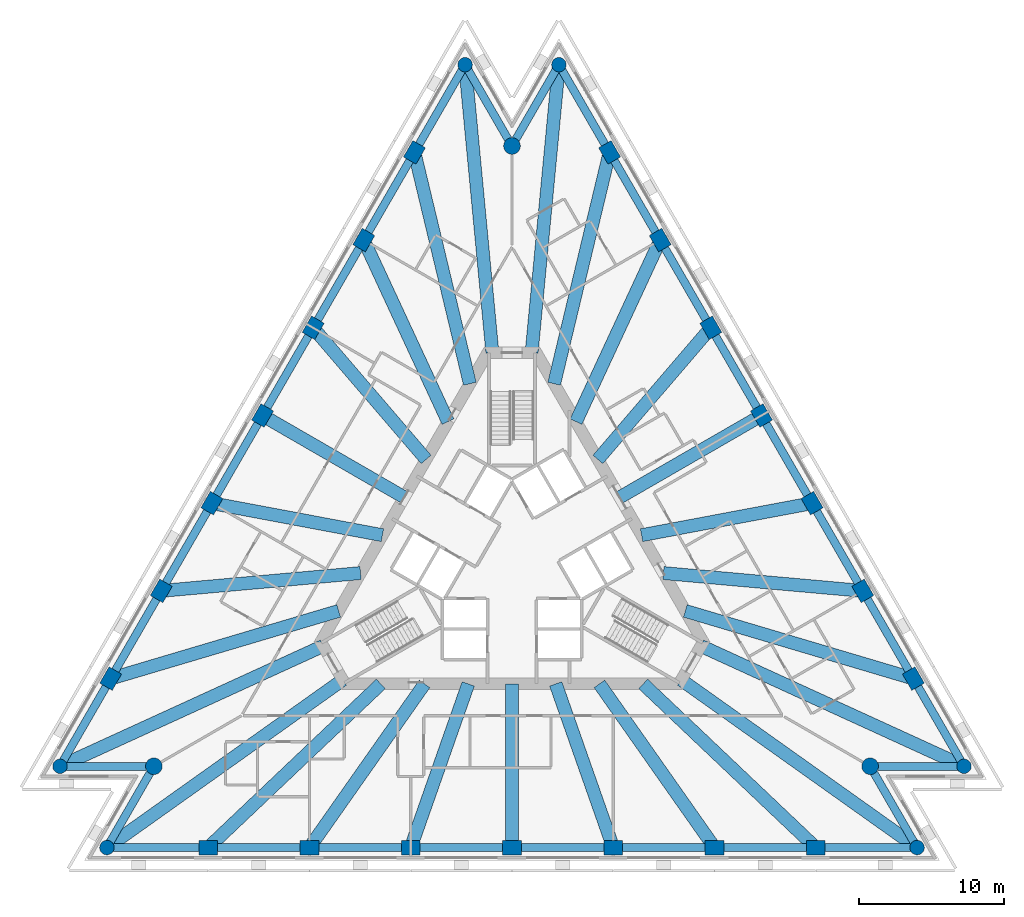
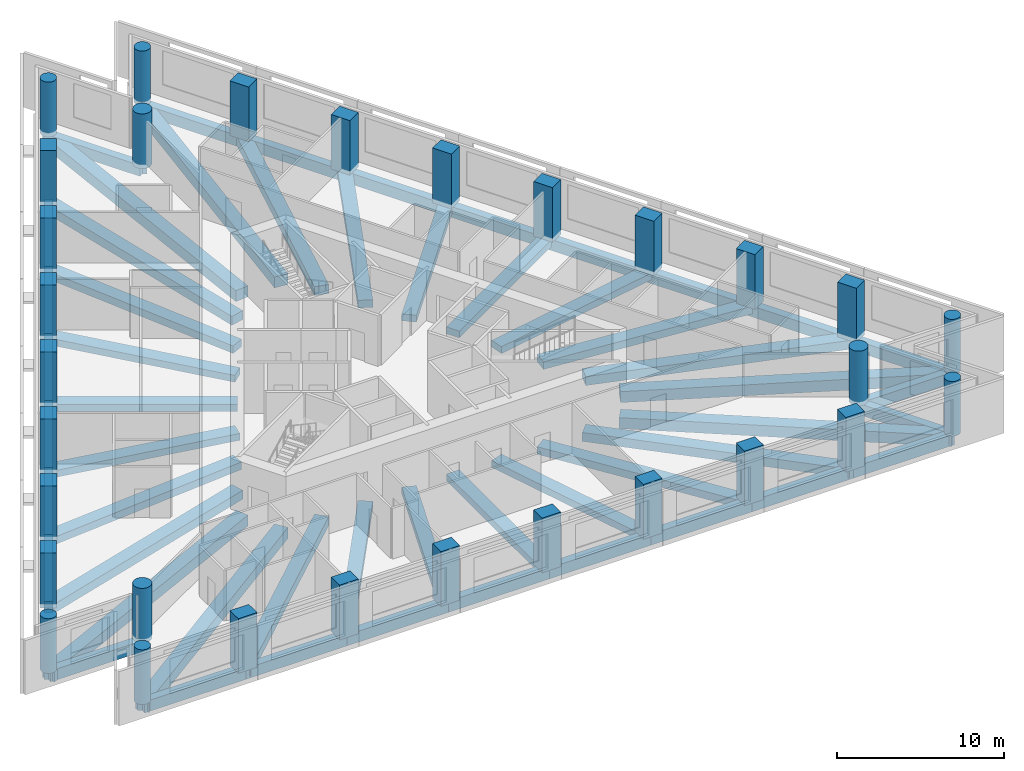
# One storey, part 1 of 10: 57 beams, 30 columns.
"""IFC4 building model written with IfcOpenShell, lengths in metres."""

from ifc_helpers import new_model, si_unit, direction, frame, origin, origin_2d, place, context, subcontext, project, spatial, rectangle, circle, extrude, material, material_profile, profile_set, type_object, element, save


model = new_model("IFC4")

# Units and contexts
model_context = context("Model", 3, precision=1e-05, world=origin(), true_north=direction((0.0, 1.0)))
body_context = subcontext(model_context, "Body", "Model", "MODEL_VIEW")
ifc_project = project(units=[si_unit("LENGTHUNIT", "METRE"), si_unit("AREAUNIT", "SQUARE_METRE"), si_unit("VOLUMEUNIT", "CUBIC_METRE"), si_unit("PLANEANGLEUNIT", "RADIAN"), si_unit("MASSUNIT", "GRAM", prefix="KILO")], contexts=[model_context])

# Site, building, storey
site_placement = place(None, origin())
site = spatial("IfcSite", under=ifc_project, at=site_placement, CompositionType="ELEMENT")
building_placement = place(site_placement, origin())
building = spatial("IfcBuilding", under=site, at=building_placement, Name="Triada Interchange Tower", CompositionType="ELEMENT")
storey_placement = place(building_placement, frame((0.0, 0.0, 104.300048828125)))
storey = spatial("IfcBuildingStorey", under=building, at=storey_placement, Name="L23", CompositionType="ELEMENT", Elevation=104.300048828125)

# Columns
ifc_material_1 = material(Name="Concrete C60/75", Category="concrete")
ifc_material_profile_1 = material_profile(ifc_material_1, rectangle(XDim=1.300048828125, YDim=1.0, at=origin_2d()), Name="RC 1300x1000")
ifc_profile_set_1 = profile_set([ifc_material_profile_1], Name="Concrete C60/75")
column_type_1 = type_object("IfcColumnType", Name="Column B face RC 1300x1000", PredefinedType="COLUMN", material=ifc_profile_set_1)
for number, where, z_axis, x_axis, name in (
    (1, (-6.74609375, 28.14892578125, -0.300048828125), (0.0, 0.0, 1.0), (0.5, 0.866025403784, 0.0), "Column CB02 L23"),
    (2, (-10.2470703125, 22.0859375, -0.300048828125), (0.0, 0.0, 1.0), (0.5, 0.866025403784, 0.0), "Column CB03 L23"),
    (3, (-13.748046875, 16.02197265625, -0.300048828125), (0.0, 0.0, 1.0), (0.5, 0.866025403784, 0.0), "Column CB04 L23"),
    (4, (-17.248046875, 9.9580078125, -0.300048828125), (0.0, 0.0, 1.0), (0.5, 0.866025403784, 0.0), "Column CB05 L23"),
    (5, (-20.7490234375, 3.89501953125, -0.300048828125), (0.0, 0.0, 1.0), (0.5, 0.866025403784, 0.0), "Column CB06 L23"),
    (6, (-24.25, -2.1689453125, -0.300048828125), (0.0, 0.0, 1.0), (0.5, 0.866025403784, 0.0), "Column CB07 L23"),
    (7, (-27.7509765625, -8.23193359375, -0.300048828125), (0.0, 0.0, 1.0), (0.5, 0.866025403784, 0.0), "Column CB08 L23"),
    (8, (-21.0048828125, -19.9169921875, -0.300048828125), (0.0, 0.0, 1.0), (1.0, 0.0, 0.0), "Column CB11 L23"),
    (9, (-14.00390625, -19.9169921875, -0.300048828125), (0.0, 0.0, 1.0), (1.0, 0.0, 0.0), "Column CB12 L23"),
    (10, (-7.001953125, -19.9169921875, -0.300048828125), (0.0, 0.0, 1.0), (1.0, 0.0, 0.0), "Column CB13 L23"),
    (11, (0.0, -19.9169921875, -0.300048828125), (0.0, 0.0, 1.0), (1.0, 0.0, 0.0), "Column CB14 L23"),
    (12, (7.001953125, -19.9169921875, -0.300048828125), (0.0, 0.0, 1.0), (1.0, 0.0, 0.0), "Column CB15 L23"),
    (13, (14.0029296875, -19.9169921875, -0.300048828125), (0.0, 0.0, 1.0), (1.0, 0.0, 0.0), "Column CB16 L23"),
    (14, (21.0048828125, -19.9169921875, -0.300048828125), (0.0, 0.0, 1.0), (1.0, 0.0, 0.0), "Column CB17 L23"),
    (15, (27.7509765625, -8.23193359375, -0.300048828125), (0.0, 0.0, 1.0), (-0.5, 0.866025403784, 0.0), "Column CB20 L23"),
    (16, (24.25, -2.1689453125, -0.300048828125), (0.0, 0.0, 1.0), (-0.5, 0.866025403784, 0.0), "Column CB21 L23"),
    (17, (20.7490234375, 3.89501953125, -0.300048828125), (0.0, 0.0, 1.0), (-0.5, 0.866025403784, 0.0), "Column CB22 L23"),
    (18, (17.248046875, 9.9580078125, -0.300048828125), (0.0, 0.0, 1.0), (-0.5, 0.866025403784, 0.0), "Column CB23 L23"),
    (19, (13.748046875, 16.02197265625, -0.300048828125), (0.0, 0.0, 1.0), (-0.5, 0.866025403784, 0.0), "Column CB24 L23"),
    (20, (10.2470703125, 22.0859375, -0.300048828125), (0.0, 0.0, 1.0), (-0.5, 0.866025403784, 0.0), "Column CB25 L23"),
    (21, (6.74609375, 28.14892578125, -0.300048828125), (0.0, 0.0, 1.0), (-0.5, 0.866025403784, 0.0), "Column CB26 L23"),
):
    element("IfcColumn", number, at=place(storey_placement, frame(where, z_axis=z_axis, x_axis=x_axis)), inside=storey, type_object=column_type_1, Name=name, PredefinedType="COLUMN", context=body_context, shape_type="SweptSolid", body=[
        extrude(rectangle(XDim=1.300048828125, YDim=1.0, at=origin_2d()), origin(), (0.0, 0.0, 1.0), 4.0),
    ])
ifc_material_profile_2 = material_profile(ifc_material_1, circle(Radius=0.5, at=origin_2d()), Name="RC D1000")
ifc_profile_set_2 = profile_set([ifc_material_profile_2], Name="Concrete C60/75")
column_type_2 = type_object("IfcColumnType", Name="End column B RC D1000", PredefinedType="COLUMN", material=ifc_profile_set_2)
for number, where, z_axis, x_axis, name in (
    (22, (-3.2451171875, 34.212890625, -0.300048828125), (0.0, 0.0, 1.0), (0.5, 0.866025403784, 0.0), "Column CB01 L23"),
    (23, (-31.251953125, -14.2958984375, -0.300048828125), (0.0, 0.0, 1.0), (0.5, 0.866025403784, 0.0), "Column CB09 L23"),
    (24, (-28.007080078125, -19.9169921875, -0.300048828125), (0.0, 0.0, 1.0), (1.0, 0.0, 0.0), "Column CB10 L23"),
    (25, (28.007080078125, -19.9169921875, -0.300048828125), (0.0, 0.0, 1.0), (1.0, 0.0, 0.0), "Column CB18 L23"),
    (26, (31.251953125, -14.2958984375, -0.300048828125), (0.0, 0.0, 1.0), (-0.5, 0.866025403784, 0.0), "Column CB19 L23"),
    (27, (3.2451171875, 34.212890625, -0.300048828125), (0.0, 0.0, 1.0), (-0.5, 0.866025403784, 0.0), "Column CB27 L23"),
):
    element("IfcColumn", number, at=place(storey_placement, frame(where, z_axis=z_axis, x_axis=x_axis)), inside=storey, type_object=column_type_2, Name=name, PredefinedType="COLUMN", context=body_context, shape_type="SweptSolid", body=[
        extrude(circle(Radius=0.5, at=origin_2d()), origin(), (0.0, 0.0, 1.0), 4.0),
    ])
ifc_material_profile_3 = material_profile(ifc_material_1, circle(Radius=0.574951171875, at=origin_2d()), Name="RC D1150")
ifc_profile_set_3 = profile_set([ifc_material_profile_3], Name="Concrete C60/75")
column_type_3 = type_object("IfcColumnType", Name="Mega column B RC D1150", PredefinedType="COLUMN", material=ifc_profile_set_3)
for number, where, z_axis, x_axis, name in (
    (28, (0.0, 28.593017578125, -0.300048828125), (0.0, 0.0, 1.0), (1.0, 0.0, 0.0), "Column MB1 L23"),
    (29, (-24.761962890625, -14.2958984375, -0.300048828125), (0.0, 0.0, 1.0), (1.0, 0.0, 0.0), "Column MB2 L23"),
    (30, (24.761962890625, -14.2958984375, -0.300048828125), (0.0, 0.0, 1.0), (1.0, 0.0, 0.0), "Column MB3 L23"),
):
    element("IfcColumn", number, at=place(storey_placement, frame(where, z_axis=z_axis, x_axis=x_axis)), inside=storey, type_object=column_type_3, Name=name, PredefinedType="COLUMN", context=body_context, shape_type="SweptSolid", body=[
        extrude(circle(Radius=0.574951171875, at=origin_2d()), origin(), (0.0, 0.0, 1.0), 4.0),
    ])

# Beams
ifc_material_2 = material(Name="Concrete C50/60", Category="concrete")
ifc_material_profile_4 = material_profile(ifc_material_2, rectangle(XDim=0.89990234375, YDim=0.5, at=origin_2d()), Name="RC 900x500")
ifc_profile_set_4 = profile_set([ifc_material_profile_4], Name="Concrete C50/60")
beam_type_1 = type_object("IfcBeamType", Name="Radial band beam B RC 900x500", PredefinedType="BEAM", material=ifc_profile_set_4)
beam_1_placement = place(storey_placement, frame((-13.748046875, 16.02197265625, -0.550048828125), z_axis=(0.651203572594, -0.758903094631, 0.0), x_axis=(0.758903094631, 0.651203572594, 0.0)))
element("IfcBeam", 31, at=beam_1_placement, inside=storey, type_object=beam_type_1, Name="Radial band beam BB04 L23", PredefinedType="BEAM", context=body_context, shape_type="SweptSolid", body=[
    extrude(rectangle(XDim=0.89990234375, YDim=0.5, at=origin_2d()), origin(), (0.0, 0.0, 1.0), 11.996337890625),
])
beam_2_placement = place(storey_placement, frame((-17.248046875, 9.9580078125, -0.550048828125), z_axis=(0.866029300872, -0.499993249986, 0.0), x_axis=(0.499993249986, 0.866029300872, 0.0)))
element("IfcBeam", 32, at=beam_2_placement, inside=storey, type_object=beam_type_1, Name="Radial band beam BB05 L23", PredefinedType="BEAM", context=body_context, shape_type="SweptSolid", body=[
    extrude(rectangle(XDim=0.89990234375, YDim=0.5, at=origin_2d()), origin(), (0.0, 0.0, 1.0), 11.316162109375),
])
beam_3_placement = place(storey_placement, frame((-20.7490234375, 3.89501953125, -0.550048828125), z_axis=(0.982834380844, -0.184490053474, 0.0), x_axis=(0.184490053474, 0.982834380844, 0.0)))
element("IfcBeam", 33, at=beam_3_placement, inside=storey, type_object=beam_type_1, Name="Radial band beam BB06 L23", PredefinedType="BEAM", context=body_context, shape_type="SweptSolid", body=[
    extrude(rectangle(XDim=0.89990234375, YDim=0.5, at=origin_2d()), origin(), (0.0, 0.0, 1.0), 11.995849609375),
])
beam_4_placement = place(storey_placement, frame((-7.001953125, -19.9169921875, -0.550048828125), z_axis=(0.331693580606, 0.943387178514, 0.0), x_axis=(-0.943387178514, 0.331693580606, 0.0)))
element("IfcBeam", 34, at=beam_4_placement, inside=storey, type_object=beam_type_1, Name="Radial band beam BB14 L23", PredefinedType="BEAM", context=body_context, shape_type="SweptSolid", body=[
    extrude(rectangle(XDim=0.89990234375, YDim=0.5, at=origin_2d()), origin(), (0.0, 0.0, 1.0), 11.99609375),
])
beam_5_placement = place(storey_placement, frame((0.0, -19.9169921875, -0.550048828125), z_axis=(0.0, 1.0, 0.0), x_axis=(-1.0, 0.0, 0.0)))
element("IfcBeam", 35, at=beam_5_placement, inside=storey, type_object=beam_type_1, Name="Radial band beam BB15 L23", PredefinedType="BEAM", context=body_context, shape_type="SweptSolid", body=[
    extrude(rectangle(XDim=0.89990234375, YDim=0.5, at=origin_2d()), origin(), (0.0, 0.0, 1.0), 11.31689453125),
])
beam_6_placement = place(storey_placement, frame((7.001953125, -19.9169921875, -0.550048828125), z_axis=(-0.331693580606, 0.943387178514, 0.0), x_axis=(-0.943387178514, -0.331693580606, 0.0)))
element("IfcBeam", 36, at=beam_6_placement, inside=storey, type_object=beam_type_1, Name="Radial band beam BB16 L23", PredefinedType="BEAM", context=body_context, shape_type="SweptSolid", body=[
    extrude(rectangle(XDim=0.89990234375, YDim=0.5, at=origin_2d()), origin(), (0.0, 0.0, 1.0), 11.99609375),
])
beam_7_placement = place(storey_placement, frame((20.7490234375, 3.89501953125, -0.550048828125), z_axis=(-0.982834380844, -0.184490053474, 0.0), x_axis=(0.184490053474, -0.982834380844, 0.0)))
element("IfcBeam", 37, at=beam_7_placement, inside=storey, type_object=beam_type_1, Name="Radial band beam BB24 L23", PredefinedType="BEAM", context=body_context, shape_type="SweptSolid", body=[
    extrude(rectangle(XDim=0.89990234375, YDim=0.5, at=origin_2d()), origin(), (0.0, 0.0, 1.0), 11.995849609375),
])
beam_8_placement = place(storey_placement, frame((17.248046875, 9.9580078125, -0.550048828125), z_axis=(-0.866029300872, -0.499993249986, 0.0), x_axis=(0.499993249986, -0.866029300872, 0.0)))
element("IfcBeam", 38, at=beam_8_placement, inside=storey, type_object=beam_type_1, Name="Radial band beam BB25 L23", PredefinedType="BEAM", context=body_context, shape_type="SweptSolid", body=[
    extrude(rectangle(XDim=0.89990234375, YDim=0.5, at=origin_2d()), origin(), (0.0, 0.0, 1.0), 11.316162109375),
])
beam_9_placement = place(storey_placement, frame((13.748046875, 16.02197265625, -0.550048828125), z_axis=(-0.651203572594, -0.758903094631, 0.0), x_axis=(0.758903094631, -0.651203572594, 0.0)))
element("IfcBeam", 39, at=beam_9_placement, inside=storey, type_object=beam_type_1, Name="Radial band beam BB26 L23", PredefinedType="BEAM", context=body_context, shape_type="SweptSolid", body=[
    extrude(rectangle(XDim=0.89990234375, YDim=0.5, at=origin_2d()), origin(), (0.0, 0.0, 1.0), 11.996337890625),
])
ifc_material_profile_5 = material_profile(ifc_material_2, rectangle(XDim=0.89990234375, YDim=0.550048828125, at=origin_2d()), Name="RC 900x550")
ifc_profile_set_5 = profile_set([ifc_material_profile_5], Name="Concrete C50/60")
beam_type_2 = type_object("IfcBeamType", Name="Radial band beam B RC 900x550", PredefinedType="BEAM", material=ifc_profile_set_5)
beam_10_placement = place(storey_placement, frame((-10.2470703125, 22.0859375, -0.574951171875), z_axis=(0.420884722934, -0.907114132842, 0.0), x_axis=(0.907114132842, 0.420884722934, 0.0)))
element("IfcBeam", 40, at=beam_10_placement, inside=storey, type_object=beam_type_2, Name="Radial band beam BB03 L23", PredefinedType="BEAM", context=body_context, shape_type="SweptSolid", body=[
    extrude(rectangle(XDim=0.89990234375, YDim=0.550048828125, at=origin_2d()), origin(), (0.0, 0.0, 1.0), 13.835205078125),
])
beam_11_placement = place(storey_placement, frame((-24.25, -2.1689453125, -0.574951171875), z_axis=(0.996027062584, 0.089051056146, 0.0), x_axis=(-0.089051056146, 0.996027062584, 0.0)))
element("IfcBeam", 41, at=beam_11_placement, inside=storey, type_object=beam_type_2, Name="Radial band beam BB07 L23", PredefinedType="BEAM", context=body_context, shape_type="SweptSolid", body=[
    extrude(rectangle(XDim=0.89990234375, YDim=0.550048828125, at=origin_2d()), origin(), (0.0, 0.0, 1.0), 13.833984375),
])
for number, where, z_axis, x_axis, name in (
    (42, (-14.00390625, -19.9169921875, -0.574951171875), (0.57515719257, 0.818042910754, 0.0), (-0.818042910754, 0.57515719257, 0.0), "Radial band beam BB13 L23"),
    (43, (14.0029296875, -19.9169921875, -0.574951171875), (-0.575169002149, 0.818034607438, 0.0), (-0.818034607438, -0.575169002149, 0.0), "Radial band beam BB17 L23"),
):
    element("IfcBeam", number, at=place(storey_placement, frame(where, z_axis=z_axis, x_axis=x_axis)), inside=storey, type_object=beam_type_2, Name=name, PredefinedType="BEAM", context=body_context, shape_type="SweptSolid", body=[
        extrude(rectangle(XDim=0.89990234375, YDim=0.550048828125, at=origin_2d()), origin(), (0.0, 0.0, 1.0), 13.834228515625),
    ])
beam_12_placement = place(storey_placement, frame((24.25, -2.1689453125, -0.574951171875), z_axis=(-0.996027062584, 0.089051056146, 0.0), x_axis=(-0.089051056146, -0.996027062584, 0.0)))
element("IfcBeam", 44, at=beam_12_placement, inside=storey, type_object=beam_type_2, Name="Radial band beam BB23 L23", PredefinedType="BEAM", context=body_context, shape_type="SweptSolid", body=[
    extrude(rectangle(XDim=0.89990234375, YDim=0.550048828125, at=origin_2d()), origin(), (0.0, 0.0, 1.0), 13.833984375),
])
beam_13_placement = place(storey_placement, frame((10.2470703125, 22.0859375, -0.574951171875), z_axis=(-0.420884722934, -0.907114132842, 0.0), x_axis=(0.907114132842, -0.420884722934, 0.0)))
element("IfcBeam", 45, at=beam_13_placement, inside=storey, type_object=beam_type_2, Name="Radial band beam BB27 L23", PredefinedType="BEAM", context=body_context, shape_type="SweptSolid", body=[
    extrude(rectangle(XDim=0.89990234375, YDim=0.550048828125, at=origin_2d()), origin(), (0.0, 0.0, 1.0), 13.835205078125),
])
ifc_material_profile_6 = material_profile(ifc_material_2, rectangle(XDim=0.89990234375, YDim=0.64990234375, at=origin_2d()), Name="RC 900x650")
ifc_profile_set_6 = profile_set([ifc_material_profile_6], Name="Concrete C50/60")
beam_type_3 = type_object("IfcBeamType", Name="Radial band beam B RC 900x650", PredefinedType="BEAM", material=ifc_profile_set_6)
beam_14_placement = place(storey_placement, frame((-6.74609375, 28.14892578125, -0.625), z_axis=(0.23304171282, -0.972466739835, 0.0), x_axis=(0.972466739835, 0.23304171282, 0.0)))
element("IfcBeam", 46, at=beam_14_placement, inside=storey, type_object=beam_type_3, Name="Radial band beam BB02 L23", PredefinedType="BEAM", context=body_context, shape_type="SweptSolid", body=[
    extrude(rectangle(XDim=0.89990234375, YDim=0.64990234375, at=origin_2d()), origin(), (0.0, 0.0, 1.0), 16.44775390625),
])
beam_15_placement = place(storey_placement, frame((-27.7509765625, -8.23193359375, -0.625), z_axis=(0.958704173735, 0.284405181498, 0.0), x_axis=(-0.284405181498, 0.958704173735, 0.0)))
element("IfcBeam", 47, at=beam_15_placement, inside=storey, type_object=beam_type_3, Name="Radial band beam BB08 L23", PredefinedType="BEAM", context=body_context, shape_type="SweptSolid", body=[
    extrude(rectangle(XDim=0.89990234375, YDim=0.64990234375, at=origin_2d()), origin(), (0.0, 0.0, 1.0), 16.4482421875),
])
for number, where, z_axis, x_axis, name in (
    (48, (-21.0048828125, -19.9169921875, -0.625), (0.725642124038, 0.688072312931, 0.0), (-0.688072312931, 0.725642124038, 0.0), "Radial band beam BB12 L23"),
    (49, (21.0048828125, -19.9169921875, -0.625), (-0.725642124038, 0.688072312931, 0.0), (-0.688072312931, -0.725642124038, 0.0), "Radial band beam BB18 L23"),
):
    element("IfcBeam", number, at=place(storey_placement, frame(where, z_axis=z_axis, x_axis=x_axis)), inside=storey, type_object=beam_type_3, Name=name, PredefinedType="BEAM", context=body_context, shape_type="SweptSolid", body=[
        extrude(rectangle(XDim=0.89990234375, YDim=0.64990234375, at=origin_2d()), origin(), (0.0, 0.0, 1.0), 16.447265625),
    ])
beam_16_placement = place(storey_placement, frame((27.7509765625, -8.23193359375, -0.625), z_axis=(-0.958704173735, 0.284405181498, 0.0), x_axis=(-0.284405181498, -0.958704173735, 0.0)))
element("IfcBeam", 50, at=beam_16_placement, inside=storey, type_object=beam_type_3, Name="Radial band beam BB22 L23", PredefinedType="BEAM", context=body_context, shape_type="SweptSolid", body=[
    extrude(rectangle(XDim=0.89990234375, YDim=0.64990234375, at=origin_2d()), origin(), (0.0, 0.0, 1.0), 16.4482421875),
])
beam_17_placement = place(storey_placement, frame((6.74609375, 28.14892578125, -0.625), z_axis=(-0.23304171282, -0.972466739835, 0.0), x_axis=(0.972466739835, -0.23304171282, 0.0)))
element("IfcBeam", 51, at=beam_17_placement, inside=storey, type_object=beam_type_3, Name="Radial band beam BB28 L23", PredefinedType="BEAM", context=body_context, shape_type="SweptSolid", body=[
    extrude(rectangle(XDim=0.89990234375, YDim=0.64990234375, at=origin_2d()), origin(), (0.0, 0.0, 1.0), 16.44775390625),
])
ifc_material_profile_7 = material_profile(ifc_material_2, rectangle(XDim=0.89990234375, YDim=0.800048828125, at=origin_2d()), Name="RC 900x800")
ifc_profile_set_7 = profile_set([ifc_material_profile_7], Name="Concrete C50/60")
beam_type_4 = type_object("IfcBeamType", Name="Radial band beam B RC 900x800", PredefinedType="BEAM", material=ifc_profile_set_7)
beam_18_placement = place(storey_placement, frame((-3.2451171875, 34.212890625, -0.699951171875), z_axis=(0.094447360119, -0.995529856994, 0.0), x_axis=(0.995529856994, 0.094447360119, 0.0)))
element("IfcBeam", 52, at=beam_18_placement, inside=storey, type_object=beam_type_4, Name="Radial band beam BB01 L23", PredefinedType="BEAM", context=body_context, shape_type="SweptSolid", body=[
    extrude(rectangle(XDim=0.89990234375, YDim=0.800048828125, at=origin_2d()), origin(), (0.0, 0.0, 1.0), 20.002197265625),
])
beam_19_placement = place(storey_placement, frame((-31.251953125, -14.2958984375, -0.699951171875), z_axis=(0.909372387987, 0.415983004421, 0.0), x_axis=(-0.415983004421, 0.909372387987, 0.0)))
element("IfcBeam", 53, at=beam_19_placement, inside=storey, type_object=beam_type_4, Name="Radial band beam BB09 L23", PredefinedType="BEAM", context=body_context, shape_type="SweptSolid", body=[
    extrude(rectangle(XDim=0.89990234375, YDim=0.800048828125, at=origin_2d()), origin(), (0.0, 0.0, 1.0), 20.002685546875),
])
for number, where, z_axis, x_axis, name in (
    (54, (-28.007080078125, -19.9169921875, -0.699951171875), (0.814950584843, 0.579530451541, 0.0), (-0.579530451541, 0.814950584843, 0.0), "Radial band beam BB11 L23"),
    (55, (28.007080078125, -19.9169921875, -0.699951171875), (-0.814950584843, 0.579530451541, 0.0), (-0.579530451541, -0.814950584843, 0.0), "Radial band beam BB19 L23"),
):
    element("IfcBeam", number, at=place(storey_placement, frame(where, z_axis=z_axis, x_axis=x_axis)), inside=storey, type_object=beam_type_4, Name=name, PredefinedType="BEAM", context=body_context, shape_type="SweptSolid", body=[
        extrude(rectangle(XDim=0.89990234375, YDim=0.800048828125, at=origin_2d()), origin(), (0.0, 0.0, 1.0), 20.00244140625),
    ])
beam_20_placement = place(storey_placement, frame((31.251953125, -14.2958984375, -0.699951171875), z_axis=(-0.909372387987, 0.415983004421, 0.0), x_axis=(-0.415983004421, -0.909372387987, 0.0)))
element("IfcBeam", 56, at=beam_20_placement, inside=storey, type_object=beam_type_4, Name="Radial band beam BB21 L23", PredefinedType="BEAM", context=body_context, shape_type="SweptSolid", body=[
    extrude(rectangle(XDim=0.89990234375, YDim=0.800048828125, at=origin_2d()), origin(), (0.0, 0.0, 1.0), 20.002685546875),
])
beam_21_placement = place(storey_placement, frame((3.2451171875, 34.212890625, -0.699951171875), z_axis=(-0.094447360119, -0.995529856994, 0.0), x_axis=(0.995529856994, -0.094447360119, 0.0)))
element("IfcBeam", 57, at=beam_21_placement, inside=storey, type_object=beam_type_4, Name="Radial band beam BB29 L23", PredefinedType="BEAM", context=body_context, shape_type="SweptSolid", body=[
    extrude(rectangle(XDim=0.89990234375, YDim=0.800048828125, at=origin_2d()), origin(), (0.0, 0.0, 1.0), 20.002197265625),
])
ifc_material_profile_8 = material_profile(ifc_material_2, rectangle(XDim=0.550048828125, YDim=0.800048828125, at=origin_2d()), Name="RC 550x800")
ifc_profile_set_8 = profile_set([ifc_material_profile_8], Name="Concrete C50/60")
beam_type_5 = type_object("IfcBeamType", Name="Spandrel beam B RC 550x800", PredefinedType="BEAM", material=ifc_profile_set_8)
beam_22_placement = place(storey_placement, frame((-3.2451171875, 34.212890625, -0.699951171875), z_axis=(-0.499994090379, -0.866028815679, 0.0), x_axis=(0.866028815679, -0.499994090379, 0.0)))
element("IfcBeam", 58, at=beam_22_placement, inside=storey, type_object=beam_type_5, Name="Spandrel beam EB01 L23", PredefinedType="BEAM", context=body_context, shape_type="SweptSolid", body=[
    extrude(rectangle(XDim=0.550048828125, YDim=0.800048828125, at=origin_2d()), origin(), (0.0, 0.0, 1.0), 7.001953125),
])
beam_23_placement = place(storey_placement, frame((-6.74609375, 28.14892578125, -0.699951171875), z_axis=(-0.500054487556, -0.865993943094, 0.0), x_axis=(0.865993943094, -0.500054487556, 0.0)))
element("IfcBeam", 59, at=beam_23_placement, inside=storey, type_object=beam_type_5, Name="Spandrel beam EB02 L23", PredefinedType="BEAM", context=body_context, shape_type="SweptSolid", body=[
    extrude(rectangle(XDim=0.550048828125, YDim=0.800048828125, at=origin_2d()), origin(), (0.0, 0.0, 1.0), 7.001220703125),
])
beam_24_placement = place(storey_placement, frame((-10.2470703125, 22.0859375, -0.699951171875), z_axis=(-0.499994090379, -0.866028815679, 0.0), x_axis=(0.866028815679, -0.499994090379, 0.0)))
element("IfcBeam", 60, at=beam_24_placement, inside=storey, type_object=beam_type_5, Name="Spandrel beam EB03 L23", PredefinedType="BEAM", context=body_context, shape_type="SweptSolid", body=[
    extrude(rectangle(XDim=0.550048828125, YDim=0.800048828125, at=origin_2d()), origin(), (0.0, 0.0, 1.0), 7.001953125),
])
beam_25_placement = place(storey_placement, frame((-13.748046875, 16.02197265625, -0.699951171875), z_axis=(-0.499889477339, -0.86608920467, 0.0), x_axis=(0.86608920467, -0.499889477339, 0.0)))
element("IfcBeam", 61, at=beam_25_placement, inside=storey, type_object=beam_type_5, Name="Spandrel beam EB04 L23", PredefinedType="BEAM", context=body_context, shape_type="SweptSolid", body=[
    extrude(rectangle(XDim=0.550048828125, YDim=0.800048828125, at=origin_2d()), origin(), (0.0, 0.0, 1.0), 7.00146484375),
])
beam_26_placement = place(storey_placement, frame((-17.248046875, 9.9580078125, -0.699951171875), z_axis=(-0.500054487556, -0.865993943094, 0.0), x_axis=(0.865993943094, -0.500054487556, 0.0)))
element("IfcBeam", 62, at=beam_26_placement, inside=storey, type_object=beam_type_5, Name="Spandrel beam EB05 L23", PredefinedType="BEAM", context=body_context, shape_type="SweptSolid", body=[
    extrude(rectangle(XDim=0.550048828125, YDim=0.800048828125, at=origin_2d()), origin(), (0.0, 0.0, 1.0), 7.001220703125),
])
beam_27_placement = place(storey_placement, frame((-20.7490234375, 3.89501953125, -0.699951171875), z_axis=(-0.499994090379, -0.866028815679, 0.0), x_axis=(0.866028815679, -0.499994090379, 0.0)))
element("IfcBeam", 63, at=beam_27_placement, inside=storey, type_object=beam_type_5, Name="Spandrel beam EB06 L23", PredefinedType="BEAM", context=body_context, shape_type="SweptSolid", body=[
    extrude(rectangle(XDim=0.550048828125, YDim=0.800048828125, at=origin_2d()), origin(), (0.0, 0.0, 1.0), 7.001953125),
])
beam_28_placement = place(storey_placement, frame((-24.25, -2.1689453125, -0.699951171875), z_axis=(-0.500054487556, -0.865993943094, 0.0), x_axis=(0.865993943094, -0.500054487556, 0.0)))
element("IfcBeam", 64, at=beam_28_placement, inside=storey, type_object=beam_type_5, Name="Spandrel beam EB07 L23", PredefinedType="BEAM", context=body_context, shape_type="SweptSolid", body=[
    extrude(rectangle(XDim=0.550048828125, YDim=0.800048828125, at=origin_2d()), origin(), (0.0, 0.0, 1.0), 7.001220703125),
])
beam_29_placement = place(storey_placement, frame((-27.7509765625, -8.23193359375, -0.699951171875), z_axis=(-0.499994090379, -0.866028815679, 0.0), x_axis=(0.866028815679, -0.499994090379, 0.0)))
element("IfcBeam", 65, at=beam_29_placement, inside=storey, type_object=beam_type_5, Name="Spandrel beam EB08 L23", PredefinedType="BEAM", context=body_context, shape_type="SweptSolid", body=[
    extrude(rectangle(XDim=0.550048828125, YDim=0.800048828125, at=origin_2d()), origin(), (0.0, 0.0, 1.0), 7.001953125),
])
beam_30_placement = place(storey_placement, frame((-31.251953125, -14.2958984375, -0.699951171875), z_axis=(1.0, 0.0, 0.0), x_axis=(0.0, 1.0, 0.0)))
element("IfcBeam", 66, at=beam_30_placement, inside=storey, type_object=beam_type_5, Name="Spandrel beam EB09 L23", PredefinedType="BEAM", context=body_context, shape_type="SweptSolid", body=[
    extrude(rectangle(XDim=0.550048828125, YDim=0.800048828125, at=origin_2d()), origin(), (0.0, 0.0, 1.0), 6.489990234375),
])
beam_31_placement = place(storey_placement, frame((-24.761962890625, -14.2958984375, -0.699951171875), z_axis=(-0.499974254476, -0.866040267459, 0.0), x_axis=(0.866040267459, -0.499974254476, 0.0)))
element("IfcBeam", 67, at=beam_31_placement, inside=storey, type_object=beam_type_5, Name="Spandrel beam EB10 L23", PredefinedType="BEAM", context=body_context, shape_type="SweptSolid", body=[
    extrude(rectangle(XDim=0.550048828125, YDim=0.800048828125, at=origin_2d()), origin(), (0.0, 0.0, 1.0), 6.490478515625),
])
beam_32_placement = place(storey_placement, frame((-28.007080078125, -19.9169921875, -0.699951171875), z_axis=(1.0, 0.0, 0.0), x_axis=(0.0, 1.0, 0.0)))
element("IfcBeam", 68, at=beam_32_placement, inside=storey, type_object=beam_type_5, Name="Spandrel beam EB11 L23", PredefinedType="BEAM", context=body_context, shape_type="SweptSolid", body=[
    extrude(rectangle(XDim=0.550048828125, YDim=0.800048828125, at=origin_2d()), origin(), (0.0, 0.0, 1.0), 7.002197265625),
])
beam_33_placement = place(storey_placement, frame((-21.0048828125, -19.9169921875, -0.699951171875), z_axis=(1.0, 0.0, 0.0), x_axis=(0.0, 1.0, 0.0)))
element("IfcBeam", 69, at=beam_33_placement, inside=storey, type_object=beam_type_5, Name="Spandrel beam EB12 L23", PredefinedType="BEAM", context=body_context, shape_type="SweptSolid", body=[
    extrude(rectangle(XDim=0.550048828125, YDim=0.800048828125, at=origin_2d()), origin(), (0.0, 0.0, 1.0), 7.0009765625),
])
for number, where, z_axis, x_axis, name in (
    (70, (-14.00390625, -19.9169921875, -0.699951171875), (1.0, 0.0, 0.0), (0.0, 1.0, 0.0), "Spandrel beam EB13 L23"),
    (71, (-7.001953125, -19.9169921875, -0.699951171875), (1.0, 0.0, 0.0), (0.0, 1.0, 0.0), "Spandrel beam EB14 L23"),
    (72, (0.0, -19.9169921875, -0.699951171875), (1.0, 0.0, 0.0), (0.0, 1.0, 0.0), "Spandrel beam EB15 L23"),
):
    element("IfcBeam", number, at=place(storey_placement, frame(where, z_axis=z_axis, x_axis=x_axis)), inside=storey, type_object=beam_type_5, Name=name, PredefinedType="BEAM", context=body_context, shape_type="SweptSolid", body=[
        extrude(rectangle(XDim=0.550048828125, YDim=0.800048828125, at=origin_2d()), origin(), (0.0, 0.0, 1.0), 7.001953125),
    ])
beam_34_placement = place(storey_placement, frame((7.001953125, -19.9169921875, -0.699951171875), z_axis=(1.0, 0.0, 0.0), x_axis=(0.0, 1.0, 0.0)))
element("IfcBeam", 73, at=beam_34_placement, inside=storey, type_object=beam_type_5, Name="Spandrel beam EB16 L23", PredefinedType="BEAM", context=body_context, shape_type="SweptSolid", body=[
    extrude(rectangle(XDim=0.550048828125, YDim=0.800048828125, at=origin_2d()), origin(), (0.0, 0.0, 1.0), 7.0009765625),
])
beam_35_placement = place(storey_placement, frame((14.0029296875, -19.9169921875, -0.699951171875), z_axis=(1.0, 0.0, 0.0), x_axis=(0.0, 1.0, 0.0)))
element("IfcBeam", 74, at=beam_35_placement, inside=storey, type_object=beam_type_5, Name="Spandrel beam EB17 L23", PredefinedType="BEAM", context=body_context, shape_type="SweptSolid", body=[
    extrude(rectangle(XDim=0.550048828125, YDim=0.800048828125, at=origin_2d()), origin(), (0.0, 0.0, 1.0), 7.001953125),
])
beam_36_placement = place(storey_placement, frame((21.0048828125, -19.9169921875, -0.699951171875), z_axis=(1.0, 0.0, 0.0), x_axis=(0.0, 1.0, 0.0)))
element("IfcBeam", 75, at=beam_36_placement, inside=storey, type_object=beam_type_5, Name="Spandrel beam EB18 L23", PredefinedType="BEAM", context=body_context, shape_type="SweptSolid", body=[
    extrude(rectangle(XDim=0.550048828125, YDim=0.800048828125, at=origin_2d()), origin(), (0.0, 0.0, 1.0), 7.002197265625),
])
beam_37_placement = place(storey_placement, frame((28.007080078125, -19.9169921875, -0.699951171875), z_axis=(-0.499974254476, 0.866040267459, 0.0), x_axis=(-0.866040267459, -0.499974254476, 0.0)))
element("IfcBeam", 76, at=beam_37_placement, inside=storey, type_object=beam_type_5, Name="Spandrel beam EB19 L23", PredefinedType="BEAM", context=body_context, shape_type="SweptSolid", body=[
    extrude(rectangle(XDim=0.550048828125, YDim=0.800048828125, at=origin_2d()), origin(), (0.0, 0.0, 1.0), 6.490478515625),
])
beam_38_placement = place(storey_placement, frame((24.761962890625, -14.2958984375, -0.699951171875), z_axis=(1.0, 0.0, 0.0), x_axis=(0.0, 1.0, 0.0)))
element("IfcBeam", 77, at=beam_38_placement, inside=storey, type_object=beam_type_5, Name="Spandrel beam EB20 L23", PredefinedType="BEAM", context=body_context, shape_type="SweptSolid", body=[
    extrude(rectangle(XDim=0.550048828125, YDim=0.800048828125, at=origin_2d()), origin(), (0.0, 0.0, 1.0), 6.489990234375),
])
beam_39_placement = place(storey_placement, frame((31.251953125, -14.2958984375, -0.699951171875), z_axis=(-0.499994090379, 0.866028815679, 0.0), x_axis=(-0.866028815679, -0.499994090379, 0.0)))
element("IfcBeam", 78, at=beam_39_placement, inside=storey, type_object=beam_type_5, Name="Spandrel beam EB21 L23", PredefinedType="BEAM", context=body_context, shape_type="SweptSolid", body=[
    extrude(rectangle(XDim=0.550048828125, YDim=0.800048828125, at=origin_2d()), origin(), (0.0, 0.0, 1.0), 7.001953125),
])
beam_40_placement = place(storey_placement, frame((27.7509765625, -8.23193359375, -0.699951171875), z_axis=(-0.500054487556, 0.865993943094, 0.0), x_axis=(-0.865993943094, -0.500054487556, 0.0)))
element("IfcBeam", 79, at=beam_40_placement, inside=storey, type_object=beam_type_5, Name="Spandrel beam EB22 L23", PredefinedType="BEAM", context=body_context, shape_type="SweptSolid", body=[
    extrude(rectangle(XDim=0.550048828125, YDim=0.800048828125, at=origin_2d()), origin(), (0.0, 0.0, 1.0), 7.001220703125),
])
beam_41_placement = place(storey_placement, frame((24.25, -2.1689453125, -0.699951171875), z_axis=(-0.499994090379, 0.866028815679, 0.0), x_axis=(-0.866028815679, -0.499994090379, 0.0)))
element("IfcBeam", 80, at=beam_41_placement, inside=storey, type_object=beam_type_5, Name="Spandrel beam EB23 L23", PredefinedType="BEAM", context=body_context, shape_type="SweptSolid", body=[
    extrude(rectangle(XDim=0.550048828125, YDim=0.800048828125, at=origin_2d()), origin(), (0.0, 0.0, 1.0), 7.001953125),
])
beam_42_placement = place(storey_placement, frame((20.7490234375, 3.89501953125, -0.699951171875), z_axis=(-0.500054487556, 0.865993943094, 0.0), x_axis=(-0.865993943094, -0.500054487556, 0.0)))
element("IfcBeam", 81, at=beam_42_placement, inside=storey, type_object=beam_type_5, Name="Spandrel beam EB24 L23", PredefinedType="BEAM", context=body_context, shape_type="SweptSolid", body=[
    extrude(rectangle(XDim=0.550048828125, YDim=0.800048828125, at=origin_2d()), origin(), (0.0, 0.0, 1.0), 7.001220703125),
])
beam_43_placement = place(storey_placement, frame((17.248046875, 9.9580078125, -0.699951171875), z_axis=(-0.499889477339, 0.86608920467, 0.0), x_axis=(-0.86608920467, -0.499889477339, 0.0)))
element("IfcBeam", 82, at=beam_43_placement, inside=storey, type_object=beam_type_5, Name="Spandrel beam EB25 L23", PredefinedType="BEAM", context=body_context, shape_type="SweptSolid", body=[
    extrude(rectangle(XDim=0.550048828125, YDim=0.800048828125, at=origin_2d()), origin(), (0.0, 0.0, 1.0), 7.00146484375),
])
beam_44_placement = place(storey_placement, frame((13.748046875, 16.02197265625, -0.699951171875), z_axis=(-0.499994090379, 0.866028815679, 0.0), x_axis=(-0.866028815679, -0.499994090379, 0.0)))
element("IfcBeam", 83, at=beam_44_placement, inside=storey, type_object=beam_type_5, Name="Spandrel beam EB26 L23", PredefinedType="BEAM", context=body_context, shape_type="SweptSolid", body=[
    extrude(rectangle(XDim=0.550048828125, YDim=0.800048828125, at=origin_2d()), origin(), (0.0, 0.0, 1.0), 7.001953125),
])
beam_45_placement = place(storey_placement, frame((10.2470703125, 22.0859375, -0.699951171875), z_axis=(-0.500054487556, 0.865993943094, 0.0), x_axis=(-0.865993943094, -0.500054487556, 0.0)))
element("IfcBeam", 84, at=beam_45_placement, inside=storey, type_object=beam_type_5, Name="Spandrel beam EB27 L23", PredefinedType="BEAM", context=body_context, shape_type="SweptSolid", body=[
    extrude(rectangle(XDim=0.550048828125, YDim=0.800048828125, at=origin_2d()), origin(), (0.0, 0.0, 1.0), 7.001220703125),
])
beam_46_placement = place(storey_placement, frame((6.74609375, 28.14892578125, -0.699951171875), z_axis=(-0.499994090379, 0.866028815679, 0.0), x_axis=(-0.866028815679, -0.499994090379, 0.0)))
element("IfcBeam", 85, at=beam_46_placement, inside=storey, type_object=beam_type_5, Name="Spandrel beam EB28 L23", PredefinedType="BEAM", context=body_context, shape_type="SweptSolid", body=[
    extrude(rectangle(XDim=0.550048828125, YDim=0.800048828125, at=origin_2d()), origin(), (0.0, 0.0, 1.0), 7.001953125),
])
for number, where, z_axis, x_axis, name in (
    (86, (3.2451171875, 34.212890625, -0.699951171875), (-0.500055700895, -0.865993242469, 0.0), (0.865993242469, -0.500055700895, 0.0), "Spandrel beam EB29 L23"),
    (87, (0.0, 28.593017578125, -0.699951171875), (-0.500055700895, 0.865993242469, 0.0), (-0.865993242469, -0.500055700895, 0.0), "Spandrel beam EB30 L23"),
):
    element("IfcBeam", number, at=place(storey_placement, frame(where, z_axis=z_axis, x_axis=x_axis)), inside=storey, type_object=beam_type_5, Name=name, PredefinedType="BEAM", context=body_context, shape_type="SweptSolid", body=[
        extrude(rectangle(XDim=0.550048828125, YDim=0.800048828125, at=origin_2d()), origin(), (0.0, 0.0, 1.0), 6.489501953125),
    ])

save(model, "model.ifc")
